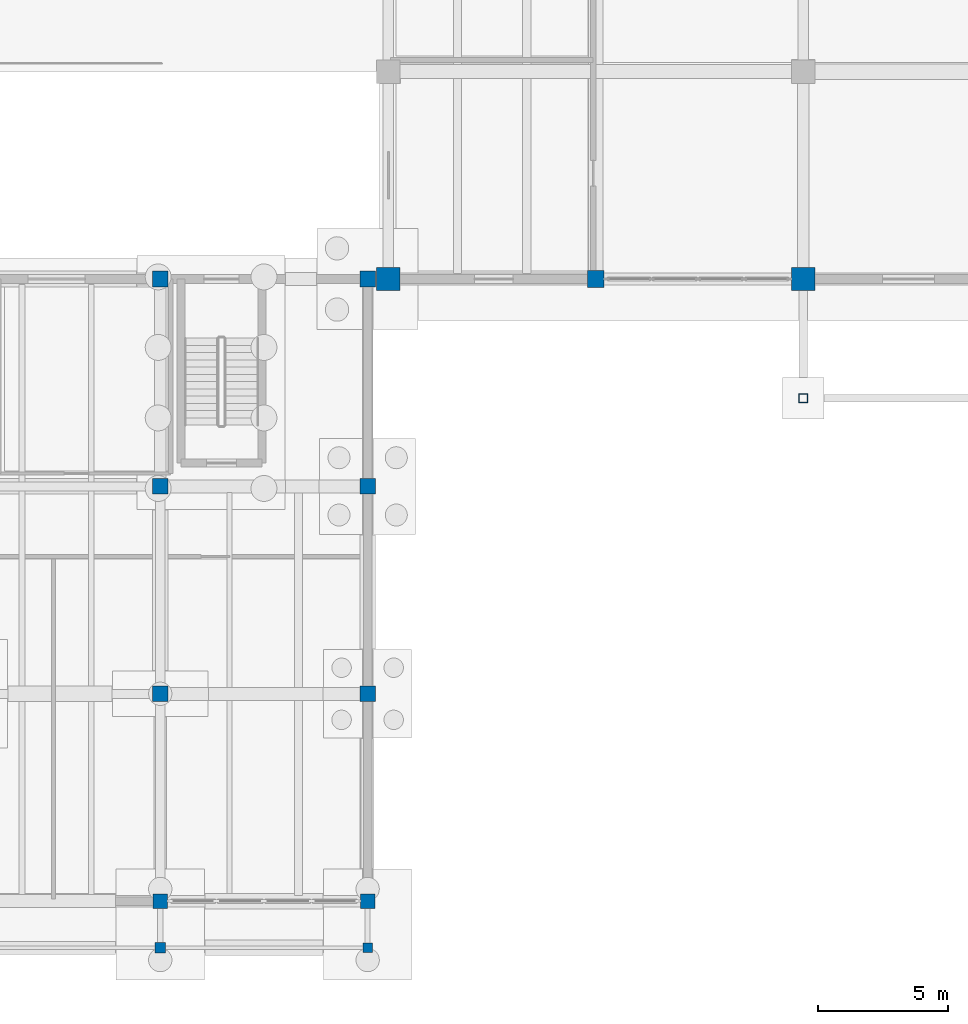
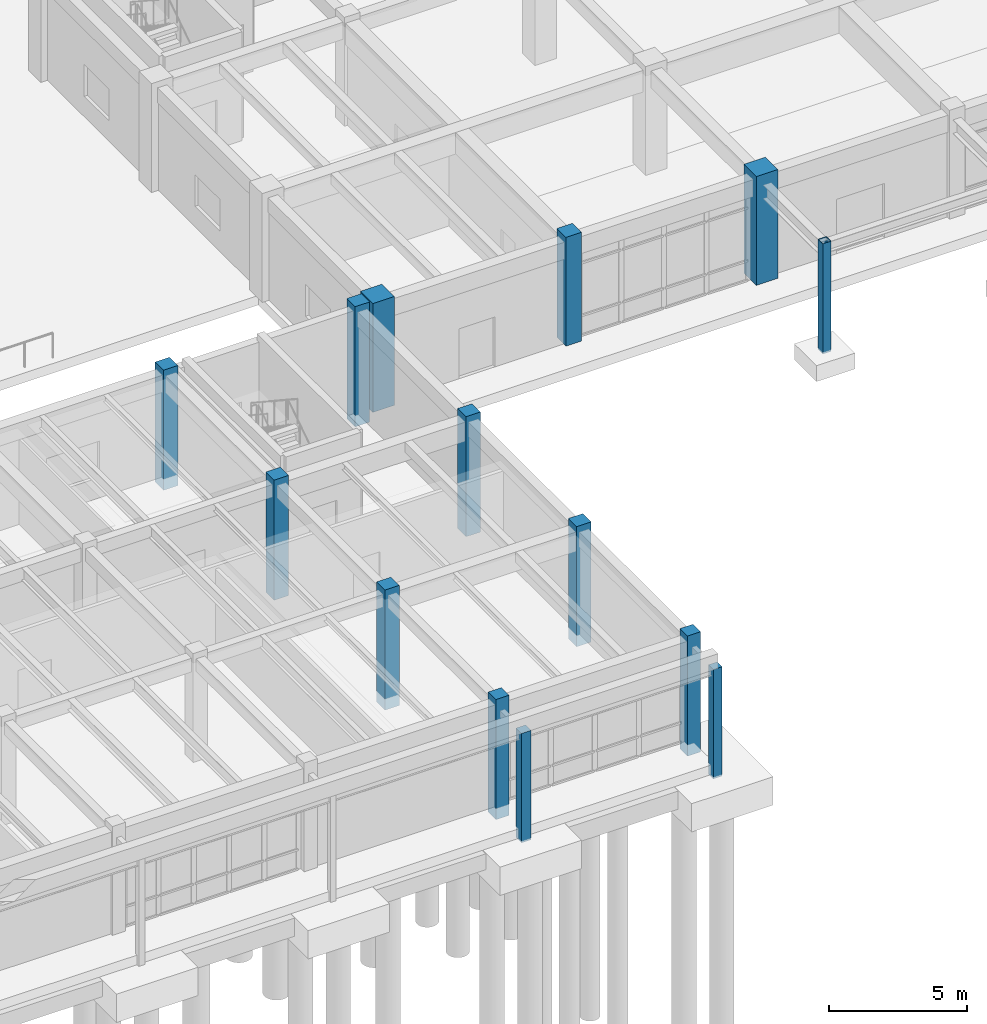
# One storey, part 6 of 64: 14 columns.
"""IFC4 building model written with IfcOpenShell, lengths in metres."""

from ifc_helpers import new_model, si_unit, direction, frame, origin, origin_2d, place, context, subcontext, project, spatial, rectangle, hollow_rectangle, extrude, material, material_profile, profile_set, type_object, element, save


model = new_model("IFC4")

# Units and contexts
model_context = context("Model", 3, precision=1e-05, world=origin(), true_north=direction((0.0, 1.0)))
body_context = subcontext(model_context, "Body", "Model", "MODEL_VIEW")
ifc_project = project(units=[si_unit("LENGTHUNIT", "METRE"), si_unit("AREAUNIT", "SQUARE_METRE"), si_unit("VOLUMEUNIT", "CUBIC_METRE"), si_unit("PLANEANGLEUNIT", "RADIAN"), si_unit("MASSUNIT", "GRAM", prefix="KILO")], contexts=[model_context])

# Site, building, storey
site_placement = place(None, origin())
site = spatial("IfcSite", under=ifc_project, at=site_placement, CompositionType="ELEMENT")
building_placement = place(site_placement, origin())
building = spatial("IfcBuilding", under=site, at=building_placement, Name="Tlaxcora Railside Police Headquarters", CompositionType="ELEMENT")
storey_placement = place(building_placement, origin())
storey = spatial("IfcBuildingStorey", under=building, at=storey_placement, Name="L00", CompositionType="ELEMENT", Elevation=0.0)

# Columns
ifc_material_1 = material(Name="Precast concrete C40/50", Category="concrete")
ifc_material_profile_1 = material_profile(ifc_material_1, rectangle(XDim=0.360107421875, YDim=0.360107421875, at=origin_2d()), Name="RC360X360")
ifc_profile_set_1 = profile_set([ifc_material_profile_1], Name="Precast concrete C40/50")
column_type_1 = type_object("IfcColumnType", Name="Facade Pilaster Column CL-34", PredefinedType="PILASTER", material=ifc_profile_set_1)
column_1_placement = place(storey_placement, frame((45.199951171875, 10.199951171875, -0.5), z_axis=(0.0, 0.0, 1.0), x_axis=(1.0, 0.0, 0.0)))
element("IfcColumn", 1, at=column_1_placement, inside=storey, type_object=column_type_1, Name="Forecourt colonnade pilaster X=45.2", PredefinedType="PILASTER", context=body_context, shape_type="SweptSolid", body=[
    extrude(rectangle(XDim=0.360107421875, YDim=0.360107421875, at=origin_2d()), origin(), (0.0, 0.0, 1.0), 4.820068359375),
])
ifc_material_profile_2 = material_profile(ifc_material_1, rectangle(XDim=0.39990234375, YDim=0.39990234375, at=origin_2d()), Name="RC400X400")
ifc_profile_set_2 = profile_set([ifc_material_profile_2], Name="Precast concrete C40/50")
column_type_2 = type_object("IfcColumnType", Name="Facade Pilaster Column CL-61", PredefinedType="PILASTER", material=ifc_profile_set_2)
column_2_placement = place(storey_placement, frame((37.199951171875, 10.199951171875, -0.5), z_axis=(0.0, 0.0, 1.0), x_axis=(1.0, 0.0, 0.0)))
element("IfcColumn", 2, at=column_2_placement, inside=storey, type_object=column_type_2, Name="Forecourt colonnade pilaster X=37.2", PredefinedType="PILASTER", context=body_context, shape_type="SweptSolid", body=[
    extrude(rectangle(XDim=0.39990234375, YDim=0.39990234375, at=origin_2d()), origin(), (0.0, 0.0, 1.0), 4.820068359375),
])
ifc_material_2 = material(Name="Steel ASTM A992 Grade 50", Category="steel")
ifc_material_profile_3 = material_profile(ifc_material_2, hollow_rectangle(XDim=0.35009765625, YDim=0.35009765625, WallThickness=0.01611328125, at=origin_2d()), Name="HSS350X350X16")
ifc_profile_set_3 = profile_set([ifc_material_profile_3], Name="Steel ASTM A992 Grade 50")
column_type_3 = type_object("IfcColumnType", Name="Structural Column CL-19", PredefinedType="COLUMN", material=ifc_profile_set_3)
column_3_placement = place(storey_placement, frame((62.0, 31.39990234375, -0.5), z_axis=(0.0, 0.0, 1.0), x_axis=(1.0, 0.0, 0.0)))
element("IfcColumn", 3, at=column_3_placement, inside=storey, type_object=column_type_3, Name="Entrance canopy column X=62.0", PredefinedType="COLUMN", context=body_context, shape_type="SweptSolid", body=[
    extrude(hollow_rectangle(XDim=0.35009765625, YDim=0.35009765625, WallThickness=0.01611328125, at=origin_2d()), origin(), (0.0, 0.0, 1.0), 4.860107421875),
])
ifc_material_3 = material(Name="Concrete C40/50", Category="concrete")
ifc_material_profile_4 = material_profile(ifc_material_3, rectangle(XDim=0.89990234375, YDim=0.89990234375, at=origin_2d()), Name="RC900X900")
ifc_profile_set_4 = profile_set([ifc_material_profile_4], Name="Concrete C40/50")
column_type_4 = type_object("IfcColumnType", Name="Structural Column CL-45", PredefinedType="COLUMN", material=ifc_profile_set_4)
for number, where, z_axis, x_axis, name in (
    (4, (46.0, 36.0, 0.0), (0.0, 0.0, 1.0), (1.0, 0.0, 0.0), "L00 column (46.0, 36.0)"),
    (5, (62.0, 36.0, 0.0), (0.0, 0.0, 1.0), (1.0, 0.0, 0.0), "L00 column (62.0, 36.0)"),
):
    element("IfcColumn", number, at=place(storey_placement, frame(where, z_axis=z_axis, x_axis=x_axis)), inside=storey, type_object=column_type_4, Name=name, PredefinedType="COLUMN", context=body_context, shape_type="SweptSolid", body=[
        extrude(rectangle(XDim=0.89990234375, YDim=0.89990234375, at=origin_2d()), origin(), (0.0, 0.0, 1.0), 4.800048828125),
    ])
ifc_material_profile_5 = material_profile(ifc_material_3, rectangle(XDim=0.60009765625, YDim=0.60009765625, at=origin_2d()), Name="RC600X600")
ifc_profile_set_5 = profile_set([ifc_material_profile_5], Name="Concrete C40/50")
column_type_5 = type_object("IfcColumnType", Name="Structural Column CL-53", PredefinedType="COLUMN", material=ifc_profile_set_5)
for number, where, z_axis, x_axis, name in (
    (6, (37.199951171875, 20.0, -0.5), (0.0, 0.0, 1.0), (1.0, 0.0, 0.0), "L00 column (37.2, 20.0)"),
    (7, (37.199951171875, 28.0, -0.5), (0.0, 0.0, 1.0), (1.0, 0.0, 0.0), "L00 column (37.2, 28.0)"),
    (8, (37.199951171875, 36.0, -0.5), (0.0, 0.0, 1.0), (1.0, 0.0, 0.0), "L00 column (37.2, 36.0)"),
    (9, (45.199951171875, 20.0, -0.5), (0.0, 0.0, 1.0), (1.0, 0.0, 0.0), "L00 column (45.2, 20.0)"),
    (10, (45.199951171875, 28.0, -0.5), (0.0, 0.0, 1.0), (1.0, 0.0, 0.0), "L00 column (45.2, 28.0)"),
    (11, (45.199951171875, 36.0, -0.5), (0.0, 0.0, 1.0), (1.0, 0.0, 0.0), "L00 column (45.2, 36.0)"),
):
    element("IfcColumn", number, at=place(storey_placement, frame(where, z_axis=z_axis, x_axis=x_axis)), inside=storey, type_object=column_type_5, Name=name, PredefinedType="COLUMN", context=body_context, shape_type="SweptSolid", body=[
        extrude(rectangle(XDim=0.60009765625, YDim=0.60009765625, at=origin_2d()), origin(), (0.0, 0.0, 1.0), 5.300048828125),
    ])
ifc_material_profile_6 = material_profile(ifc_material_3, rectangle(XDim=0.64990234375, YDim=0.64990234375, at=origin_2d()), Name="RC650X650")
ifc_profile_set_6 = profile_set([ifc_material_profile_6], Name="Concrete C40/50")
column_type_6 = type_object("IfcColumnType", Name="Structural Column CL-76", PredefinedType="COLUMN", material=ifc_profile_set_6)
column_4_placement = place(storey_placement, frame((54.0, 36.0, 0.0), z_axis=(0.0, 0.0, 1.0), x_axis=(1.0, 0.0, 0.0)))
element("IfcColumn", 12, at=column_4_placement, inside=storey, type_object=column_type_6, Name="L00 column (54.0, 36.0)", PredefinedType="COLUMN", context=body_context, shape_type="SweptSolid", body=[
    extrude(rectangle(XDim=0.64990234375, YDim=0.64990234375, at=origin_2d()), origin(), (0.0, 0.0, 1.0), 4.800048828125),
])
ifc_material_profile_7 = material_profile(ifc_material_3, rectangle(XDim=0.550048828125, YDim=0.550048828125, at=origin_2d()), Name="RC550X550")
ifc_profile_set_7 = profile_set([ifc_material_profile_7], Name="Concrete C40/50")
column_type_7 = type_object("IfcColumnType", Name="Structural Column CL-83", PredefinedType="COLUMN", material=ifc_profile_set_7)
for number, where, z_axis, x_axis, name in (
    (13, (37.199951171875, 12.0, -0.5), (0.0, 0.0, 1.0), (1.0, 0.0, 0.0), "L00 column (37.2, 12.0)"),
    (14, (45.199951171875, 12.0, -0.5), (0.0, 0.0, 1.0), (1.0, 0.0, 0.0), "L00 column (45.2, 12.0)"),
):
    element("IfcColumn", number, at=place(storey_placement, frame(where, z_axis=z_axis, x_axis=x_axis)), inside=storey, type_object=column_type_7, Name=name, PredefinedType="COLUMN", context=body_context, shape_type="SweptSolid", body=[
        extrude(rectangle(XDim=0.550048828125, YDim=0.550048828125, at=origin_2d()), origin(), (0.0, 0.0, 1.0), 5.300048828125),
    ])

save(model, "model.ifc")
